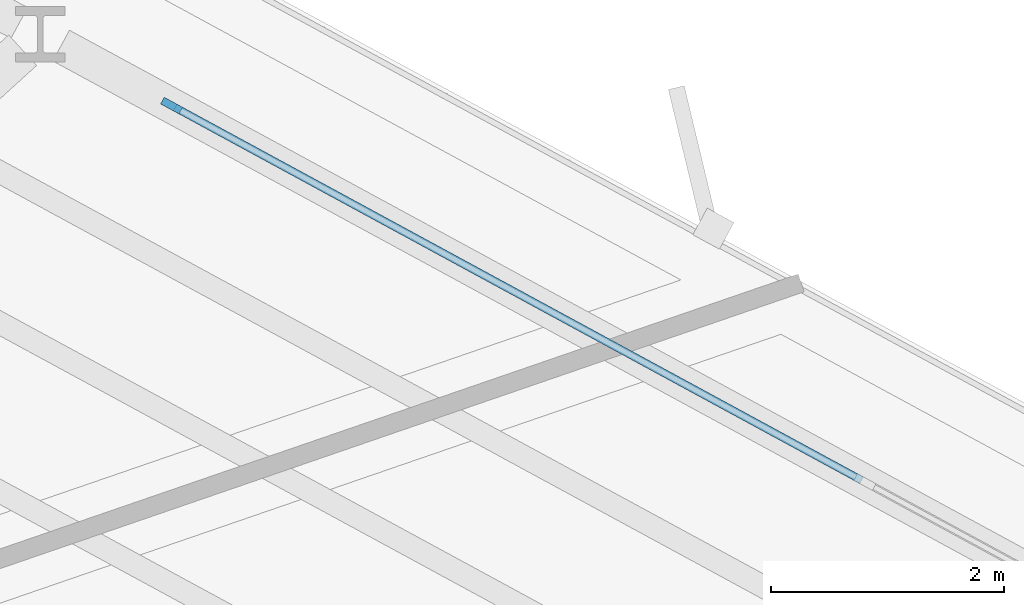
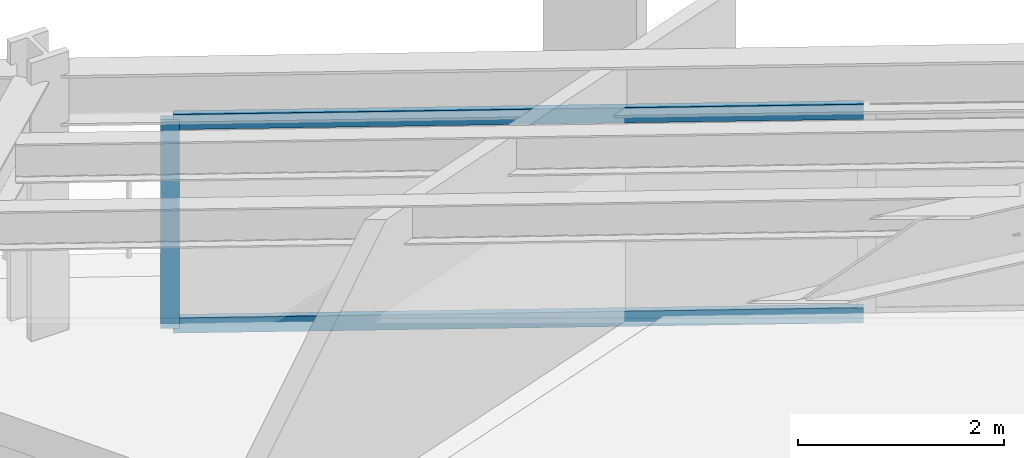
# One storey, part 6 of 14: 3 members, 1 element without a shape of its own.
"""IFC4 building model written with IfcOpenShell, lengths in metres."""

import ifcopenshell
import ifcopenshell.guid

model = None  # the IFC model being written
_history = None  # IfcOwnerHistory: only IFC2X3 demands one
_inside = {}  # id of a spatial element -> (the spatial element, [elements in it])
_under = {}  # id of a project, library or spatial element -> (it, [spatial elements below it])
_declared = {}  # id of a project -> (the project, [libraries it declares])
_typed = {}  # id of a type object -> (the type object, [elements of that type])
_made_of = {}  # id of a material, layer set ... -> (it, [elements and type objects made of it])


def new_model(schema):
    """Start an empty IFC model of exactly this schema.

    Asked for "IFC4X3", IfcOpenShell would pick the latest addendum, in which some entities
    have other attributes; the version numbers below select the first issue.
    IFC2X3 requires an IfcOwnerHistory on every rooted entity: one is made here for all.
    """
    global model, _history
    if schema == "IFC4X3":
        model = ifcopenshell.file(schema_version=(4, 3, 0, 0))
    else:
        model = ifcopenshell.file(schema=schema)
    _inside.clear()
    _under.clear()
    _declared.clear()
    _typed.clear()
    _made_of.clear()
    _history = None
    if model.schema == "IFC2X3":
        org = make("IfcOrganization", Name="unknown")
        user = make(
            "IfcPersonAndOrganization",
            ThePerson=make("IfcPerson", FamilyName="unknown"),
            TheOrganization=org,
        )
        app = make(
            "IfcApplication",
            ApplicationDeveloper=org,
            Version="unknown",
            ApplicationFullName="unknown",
            ApplicationIdentifier="unknown",
        )
        _history = make(
            "IfcOwnerHistory",
            OwningUser=user,
            OwningApplication=app,
            ChangeAction="ADDED",
            CreationDate=0,
        )
    return model


def make(cls, **values):
    """One entity of the class cls with the attributes given. An attribute that is None is left unset."""
    return model.create_entity(
        cls, **{name: value for name, value in values.items() if value is not None}
    )


def rooted(cls, **values):
    """An entity with a GlobalId (a new one), such as an element, a storey or a relation."""
    return make(cls, GlobalId=ifcopenshell.guid.new(), OwnerHistory=_history, **values)


def si_unit(unit_type, name, prefix=None):
    """IfcSIUnit, for example si_unit("LENGTHUNIT", "METRE", prefix="MILLI")."""
    return make("IfcSIUnit", UnitType=unit_type, Prefix=prefix, Name=name)


def assignment(units):
    """IfcUnitAssignment: the units of a project."""
    return None if units is None else make("IfcUnitAssignment", Units=units)


def point(xyz):
    """IfcCartesianPoint."""
    return None if xyz is None else make("IfcCartesianPoint", Coordinates=xyz)


def direction(xyz):
    """IfcDirection."""
    return None if xyz is None else make("IfcDirection", DirectionRatios=xyz)


def frame(location, z_axis=None, x_axis=None):
    """IfcAxis2Placement3D, a coordinate frame: its origin and axes. An axis left out is left unset."""
    return make(
        "IfcAxis2Placement3D",
        Location=point(location),
        Axis=direction(z_axis),
        RefDirection=direction(x_axis),
    )


def frame_2d(location, x_axis=None):
    """IfcAxis2Placement2D, a coordinate frame in the plane: its origin and x axis."""
    return make(
        "IfcAxis2Placement2D", Location=point(location), RefDirection=direction(x_axis)
    )


def origin():
    """The frame at (0, 0, 0) with its axes left unset."""
    return frame((0.0, 0.0, 0.0))


def origin_2d():
    """The frame at (0, 0) in the plane with its x axis left unset."""
    return frame_2d((0.0, 0.0))


def place(relative_to, where):
    """IfcLocalPlacement: puts the frame where relative to a parent placement (None: the world)."""
    return make(
        "IfcLocalPlacement", PlacementRelTo=relative_to, RelativePlacement=where
    )


def context(
    kind, dimensions, precision=None, world=None, true_north=None, identifier=None
):
    """IfcGeometricRepresentationContext, for example the 3D "Model" context."""
    return make(
        "IfcGeometricRepresentationContext",
        ContextIdentifier=identifier,
        ContextType=kind,
        CoordinateSpaceDimension=dimensions,
        Precision=precision,
        WorldCoordinateSystem=world,
        TrueNorth=true_north,
    )


def subcontext(parent, identifier, kind, view, scale=None):
    """IfcGeometricRepresentationSubContext, for example "Body" below "Model"."""
    return make(
        "IfcGeometricRepresentationSubContext",
        ContextIdentifier=identifier,
        ContextType=kind,
        ParentContext=parent,
        TargetScale=scale,
        TargetView=view,
    )


def project(units=None, contexts=None):
    """IfcProject with its units and contexts."""
    return rooted(
        "IfcProject",
        Name="project",
        RepresentationContexts=contexts,
        UnitsInContext=assignment(units),
    )


def spatial(cls, under=None, at=None, **own):
    """A site, building, storey or space (cls), placed at a placement, below another one or the project."""
    s = rooted(cls, ObjectPlacement=at, **own)
    if under is not None:
        _under.setdefault(under.id(), (under, []))[1].append(s)
    return s


def profile(cls, at=None, kind="AREA", **sizes):
    """A parametric profile (cls). Its sizes go by their IFC names, for example OverallWidth=200.0."""
    return make(cls, ProfileType=kind, Position=at, **sizes)


def rectangle(**sizes):
    """IfcRectangleProfileDef."""
    return profile("IfcRectangleProfileDef", **sizes)


def extrude(swept, where, along, depth):
    """IfcExtrudedAreaSolid: the profile swept, set in the frame where, extruded along a direction by depth."""
    return make(
        "IfcExtrudedAreaSolid",
        SweptArea=swept,
        Position=where,
        ExtrudedDirection=direction(along),
        Depth=depth,
    )


def shape(context_of_items, identifier, shape_type, items):
    """IfcShapeRepresentation: the items that make up one representation, for example the "Body"."""
    return make(
        "IfcShapeRepresentation",
        ContextOfItems=context_of_items,
        RepresentationIdentifier=identifier,
        RepresentationType=shape_type,
        Items=items,
    )


def material(Name=None, Category=None):
    """IfcMaterial."""
    return make("IfcMaterial", Name=Name, Category=Category)


def layer(
    of_material, thickness, ventilated=None, Name=None, Category=None, Priority=None
):
    """IfcMaterialLayer: one layer of a wall or slab, of a material (None: an air gap)."""
    return make(
        "IfcMaterialLayer",
        Material=of_material,
        LayerThickness=thickness,
        IsVentilated=ventilated,
        Name=Name,
        Category=Category,
        Priority=Priority,
    )


def layer_set(layers, Name=None):
    """IfcMaterialLayerSet."""
    return make("IfcMaterialLayerSet", MaterialLayers=layers, LayerSetName=Name)


def material_profile(
    of_material, cross_section, Name=None, Category=None, Priority=None
):
    """IfcMaterialProfile: a cross section and its material."""
    return make(
        "IfcMaterialProfile",
        Name=Name,
        Material=of_material,
        Profile=cross_section,
        Priority=Priority,
        Category=Category,
    )


def profile_set(profiles, Name=None, composite=None):
    """IfcMaterialProfileSet."""
    return make(
        "IfcMaterialProfileSet",
        Name=Name,
        MaterialProfiles=profiles,
        CompositeProfile=composite,
    )


def made_of(thing, what):
    """Note that an element or type object is made of a material, layer set ...; save() writes the relation."""
    if what is not None:
        _made_of.setdefault(what.id(), (what, []))[1].append(thing)
    return thing


def type_object(cls, material=None, **own):
    """A type object (cls), such as IfcWallType, which elements share."""
    return made_of(rooted(cls, **own), material)


def element(
    cls,
    number,
    at=None,
    inside=None,
    cuts=None,
    type_object=None,
    material=None,
    context=None,
    identifier="Body",
    shape_type=None,
    held_by="IfcProductDefinitionShape",
    body=None,
    shapes=None,
    **own,
):
    """One element of the class cls, such as IfcWall. Its Tag is "e" and its number.

    at: its placement. inside: the storey or other place that contains it. cuts: it is an
    opening in that element (IfcRelVoidsElement). A single representation is given by context,
    identifier, shape_type and body (its items); several are given by shapes. held_by: the class
    of the entity that holds the representations. save() writes the other relations.
    """
    e = rooted(cls, Tag="e%d" % number, ObjectPlacement=at, **own)
    if body is not None:
        shapes = [shape(context, identifier, shape_type, body)]
    if shapes is not None:
        e.Representation = make(held_by, Representations=shapes)
    if inside is not None:
        _inside.setdefault(inside.id(), (inside, []))[1].append(e)
    if cuts is not None:
        rooted(
            "IfcRelVoidsElement", RelatingBuildingElement=cuts, RelatedOpeningElement=e
        )
    if type_object is not None:
        _typed.setdefault(type_object.id(), (type_object, []))[1].append(e)
    return made_of(e, material)


def aggregate(whole, parts):
    """IfcRelAggregates: a whole, such as a stair, and the parts it consists of."""
    return rooted("IfcRelAggregates", RelatingObject=whole, RelatedObjects=parts)


def save(model, path):
    """Write the relations noted so far, then the file.

    IfcRelAggregates (storeys below a building ...), IfcRelContainedInSpatialStructure (elements
    in a storey), IfcRelDefinesByType, IfcRelAssociatesMaterial and IfcRelDeclares: one each for
    every whole, place, type object, material and project.
    """
    for whole, parts in _under.values():
        aggregate(whole, parts)
    for where, things in _inside.values():
        rooted(
            "IfcRelContainedInSpatialStructure",
            RelatedElements=things,
            RelatingStructure=where,
        )
    for kind, things in _typed.values():
        rooted("IfcRelDefinesByType", RelatedObjects=things, RelatingType=kind)
    for what, things in _made_of.values():
        rooted("IfcRelAssociatesMaterial", RelatedObjects=things, RelatingMaterial=what)
    for by, libraries in _declared.values():
        rooted("IfcRelDeclares", RelatingContext=by, RelatedDefinitions=libraries)
    model.write(path)


model = new_model("IFC4")

# Units and contexts
model_context = context("Model", 3, precision=1e-05, world=origin(), true_north=direction((0.0, 1.0)))
body_context = subcontext(model_context, "Body", "Model", "MODEL_VIEW")
ifc_project = project(units=[si_unit("LENGTHUNIT", "METRE"), si_unit("AREAUNIT", "SQUARE_METRE"), si_unit("VOLUMEUNIT", "CUBIC_METRE"), si_unit("PLANEANGLEUNIT", "RADIAN"), si_unit("MASSUNIT", "GRAM", prefix="KILO")], contexts=[model_context])

# Site, building, storey
site_placement = place(None, origin())
site = spatial("IfcSite", under=ifc_project, at=site_placement, CompositionType="ELEMENT")
building_placement = place(site_placement, origin())
building = spatial("IfcBuilding", under=site, at=building_placement, Name="Rocaltana Carrier Exchange", CompositionType="ELEMENT")
storey_placement = place(building_placement, frame((0.0, 0.0, 39.0400390625)))
storey = spatial("IfcBuildingStorey", under=building, at=storey_placement, Name="L12", CompositionType="ELEMENT", Elevation=39.0400390625)

# Curtain wall, members
ifc_material_1 = material(Name="Aluminium 6063-T6", Category="aluminium")
ifc_layer = layer(ifc_material_1, 0.179931640625)
ifc_layer_set = layer_set([ifc_layer], Name="Aluminium 6063-T6")
curtain_wall_type = type_object("IfcCurtainWallType", Name="Sandstone Spandrel Unitised Curtain Wall CW-01", PredefinedType="NOTDEFINED", material=ifc_layer_set)
curtain_wall_placement = place(storey_placement, origin())
curtain_wall = element("IfcCurtainWall", 1, at=curtain_wall_placement, inside=storey, type_object=curtain_wall_type, Name="L12 CW-01 Run CW-L12-F1S1", PredefinedType="NOTDEFINED")
ifc_material_2 = material(Name="Aluminium 6063-T6", Category="aluminium")
ifc_material_profile_1 = material_profile(ifc_material_2, rectangle(XDim=0.06494140625, YDim=0.179931640625, at=origin_2d()), Name="AL-65X180")
ifc_profile_set_1 = profile_set([ifc_material_profile_1], Name="Aluminium 6063-T6")
member_type_1 = type_object("IfcMemberType", Name="CW-01 Mullion AL-65X180", PredefinedType="MULLION", material=ifc_profile_set_1)
member_1_placement = place(storey_placement, frame((15.31884765625, 8.6552734375, 0.0), z_axis=(0.0, 0.0, 1.0), x_axis=(-0.477161473226, -0.878815639636, 0.0)))
member_1 = element("IfcMember", 2, at=member_1_placement, type_object=member_type_1, Name="CW-01 mullion 3", PredefinedType="MULLION", context=body_context, shape_type="SweptSolid", body=[
    extrude(rectangle(XDim=0.06494140625, YDim=0.179931640625, at=origin_2d()), origin(), (0.0, 0.0, 1.0), 2.47802734375),
])
ifc_material_3 = material(Name="Aluminium 6063-T6", Category="aluminium")
ifc_material_profile_2 = material_profile(ifc_material_3, rectangle(XDim=0.06494140625, YDim=0.179931640625, at=origin_2d()), Name="AL-65X180")
ifc_profile_set_2 = profile_set([ifc_material_profile_2], Name="Aluminium 6063-T6")
member_type_2 = type_object("IfcMemberType", Name="CW-01 Transom AL-65X180", PredefinedType="USERDEFINED", material=ifc_profile_set_2)
member_2_placement = place(storey_placement, frame((21.237548828125, 5.44140625, 0.032470703125), z_axis=(-0.87880717191, 0.477177068392, 0.0), x_axis=(-0.477177068392, -0.87880717191, 0.0)))
member_2 = element("IfcMember", 3, at=member_2_placement, type_object=member_type_2, Name="CW-01 transom 2.1", ObjectType="TRANSOM", PredefinedType="USERDEFINED", context=body_context, shape_type="SweptSolid", body=[
    extrude(rectangle(XDim=0.06494140625, YDim=0.179931640625, at=origin_2d()), origin(), (0.0, 0.0, 1.0), 6.702392578125),
])
member_3_placement = place(storey_placement, frame((21.237548828125, 5.44140625, 2.445556640625), z_axis=(-0.87880717191, 0.477177068392, 0.0), x_axis=(-0.477177068392, -0.87880717191, 0.0)))
member_3 = element("IfcMember", 4, at=member_3_placement, type_object=member_type_2, Name="CW-01 transom 2.2", ObjectType="TRANSOM", PredefinedType="USERDEFINED", context=body_context, shape_type="SweptSolid", body=[
    extrude(rectangle(XDim=0.06494140625, YDim=0.179931640625, at=origin_2d()), origin(), (0.0, 0.0, 1.0), 6.702392578125),
])
aggregate(curtain_wall, [member_1, member_2, member_3])

save(model, "model.ifc")
